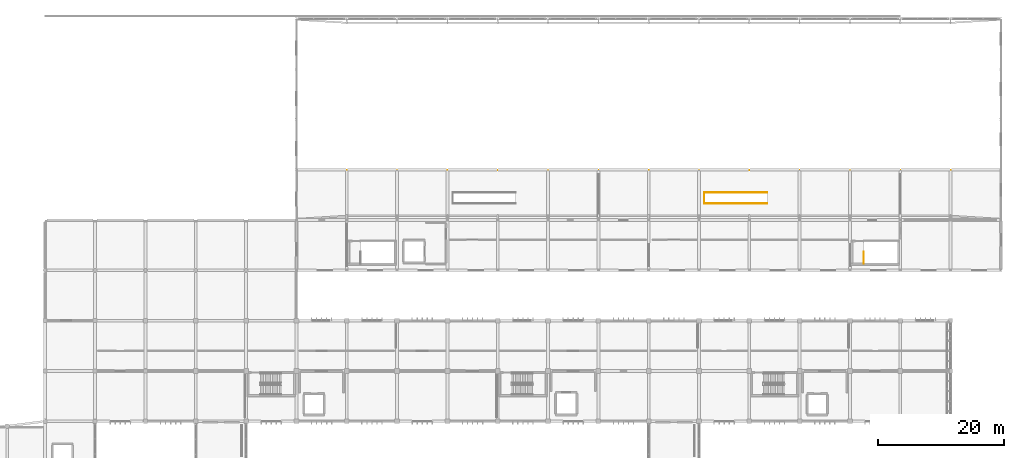
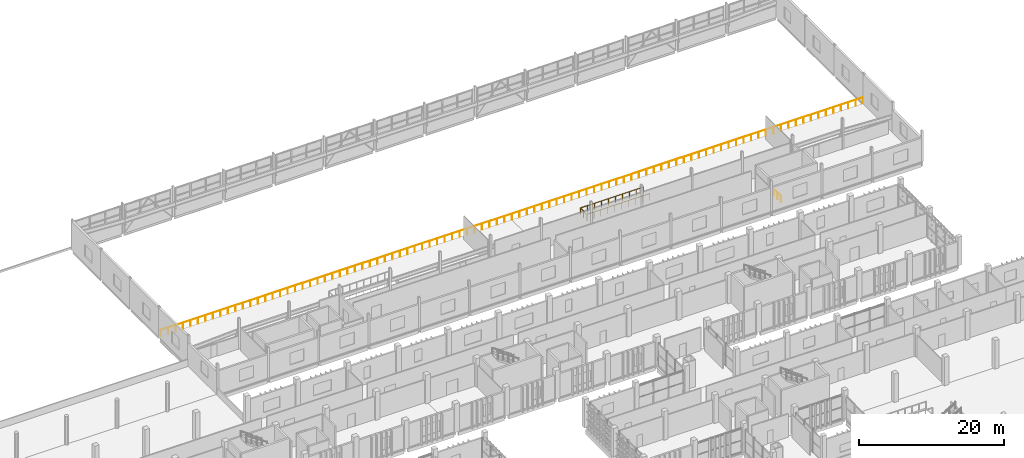
# One storey, part 106 of 106: 3 railings.
"""IFC4 building model written with IfcOpenShell, lengths in metres."""

from ifc_helpers import new_model, si_unit, direction, frame, origin, origin_2d, place, context, subcontext, project, spatial, circle, extrude, material, type_object, element, save


model = new_model("IFC4")

# Units and contexts
model_context = context("Model", 3, precision=1e-05, world=origin(), true_north=direction((0.0, 1.0)))
body_context = subcontext(model_context, "Body", "Model", "MODEL_VIEW")
ifc_project = project(units=[si_unit("LENGTHUNIT", "METRE"), si_unit("AREAUNIT", "SQUARE_METRE"), si_unit("VOLUMEUNIT", "CUBIC_METRE"), si_unit("PLANEANGLEUNIT", "RADIAN"), si_unit("MASSUNIT", "GRAM", prefix="KILO")], contexts=[model_context])

# Site, building, storey
site_placement = place(None, origin())
site = spatial("IfcSite", under=ifc_project, at=site_placement, CompositionType="ELEMENT")
building_placement = place(site_placement, origin())
building = spatial("IfcBuilding", under=site, at=building_placement, Name="Jelvoka-Kovrelna Polytechnic", CompositionType="ELEMENT")
storey_placement = place(building_placement, frame((0.0, 0.0, 4.800048828125)))
storey = spatial("IfcBuildingStorey", under=building, at=storey_placement, Name="L02", CompositionType="ELEMENT", Elevation=4.800048828125)

# Railings
ifc_material_1 = material(Name="Powder-coated steel stair guard", Category="steel")
railing_type_1 = type_object("IfcRailingType", Name="Railing_Stair_Guard_1100", PredefinedType="GUARDRAIL", material=ifc_material_1)
railing_1_placement = place(storey_placement, frame((178.199951171875, 81.10009765625, 0.0)))
element("IfcRailing", 1, at=railing_1_placement, inside=storey, type_object=railing_type_1, Name="L02 ST02 top well guard 1", PredefinedType="GUARDRAIL", context=body_context, shape_type="SweptSolid", body=[
    extrude(circle(Radius=0.02392578125, at=origin_2d()), frame((0.0, 0.0, 1.076171875), z_axis=(0.0, 1.0, 0.0), x_axis=(-1.0, 0.0, 0.0)), (0.0, 0.0, 1.0), 1.81982421875),
    extrude(circle(Radius=0.02099609375, at=origin_2d()), origin(), (0.0, 0.0, 1.0), 1.052001953125),
    extrude(circle(Radius=0.02099609375, at=origin_2d()), frame((0.0, 0.909912109375, 0.0)), (0.0, 0.0, 1.0), 1.052001953125),
    extrude(circle(Radius=0.02099609375, at=origin_2d()), frame((0.0, 1.81982421875, 0.0)), (0.0, 0.0, 1.0), 1.052001953125),
])
railing_2_placement = place(storey_placement, frame((162.840087890625, 92.385009765625, 0.0)))
element("IfcRailing", 2, at=railing_2_placement, inside=storey, type_object=railing_type_1, Name="L02 ST13 stairwell perimeter guard", PredefinedType="GUARDRAIL", context=body_context, shape_type="SweptSolid", body=[
    extrude(circle(Radius=0.02392578125, at=origin_2d()), frame((0.0, 0.0, 1.076171875), z_axis=(-1.0, 0.0, 0.0), x_axis=(0.0, -1.0, 0.0)), (0.0, 0.0, 1.0), 10.0),
    extrude(circle(Radius=0.02392578125, at=origin_2d()), frame((-10.0, 0.0, 1.076171875), z_axis=(0.0, -1.0, 0.0), x_axis=(1.0, 0.0, 0.0)), (0.0, 0.0, 1.0), 1.77001953125),
    extrude(circle(Radius=0.02392578125, at=origin_2d()), frame((-10.0, -1.77001953125, 1.076171875), z_axis=(1.0, 0.0, 0.0), x_axis=(0.0, 1.0, 0.0)), (0.0, 0.0, 1.0), 10.0),
    extrude(circle(Radius=0.02099609375, at=origin_2d()), origin(), (0.0, 0.0, 1.0), 1.052001953125),
    extrude(circle(Radius=0.02099609375, at=origin_2d()), frame((-1.111083984375, 0.0, 0.0)), (0.0, 0.0, 1.0), 1.052001953125),
    extrude(circle(Radius=0.02099609375, at=origin_2d()), frame((-2.22216796875, 0.0, 0.0)), (0.0, 0.0, 1.0), 1.052001953125),
    extrude(circle(Radius=0.02099609375, at=origin_2d()), frame((-3.333251953125, 0.0, 0.0)), (0.0, 0.0, 1.0), 1.052001953125),
    extrude(circle(Radius=0.02099609375, at=origin_2d()), frame((-4.4443359375, 0.0, 0.0)), (0.0, 0.0, 1.0), 1.052001953125),
    extrude(circle(Radius=0.02099609375, at=origin_2d()), frame((-5.5556640625, 0.0, 0.0)), (0.0, 0.0, 1.0), 1.052001953125),
    extrude(circle(Radius=0.02099609375, at=origin_2d()), frame((-6.666748046875, 0.0, 0.0)), (0.0, 0.0, 1.0), 1.052001953125),
    extrude(circle(Radius=0.02099609375, at=origin_2d()), frame((-7.77783203125, 0.0, 0.0)), (0.0, 0.0, 1.0), 1.052001953125),
    extrude(circle(Radius=0.02099609375, at=origin_2d()), frame((-8.888916015625, 0.0, 0.0)), (0.0, 0.0, 1.0), 1.052001953125),
    extrude(circle(Radius=0.02099609375, at=origin_2d()), frame((-10.0, 0.0, 0.0)), (0.0, 0.0, 1.0), 1.052001953125),
    extrude(circle(Radius=0.02099609375, at=origin_2d()), frame((-10.0, -0.885009765625, 0.0)), (0.0, 0.0, 1.0), 1.052001953125),
    extrude(circle(Radius=0.02099609375, at=origin_2d()), frame((-10.0, -1.77001953125, 0.0)), (0.0, 0.0, 1.0), 1.052001953125),
    extrude(circle(Radius=0.02099609375, at=origin_2d()), frame((-8.888916015625, -1.77001953125, 0.0)), (0.0, 0.0, 1.0), 1.052001953125),
    extrude(circle(Radius=0.02099609375, at=origin_2d()), frame((-7.77783203125, -1.77001953125, 0.0)), (0.0, 0.0, 1.0), 1.052001953125),
    extrude(circle(Radius=0.02099609375, at=origin_2d()), frame((-6.666748046875, -1.77001953125, 0.0)), (0.0, 0.0, 1.0), 1.052001953125),
    extrude(circle(Radius=0.02099609375, at=origin_2d()), frame((-5.5556640625, -1.77001953125, 0.0)), (0.0, 0.0, 1.0), 1.052001953125),
    extrude(circle(Radius=0.02099609375, at=origin_2d()), frame((-4.4443359375, -1.77001953125, 0.0)), (0.0, 0.0, 1.0), 1.052001953125),
    extrude(circle(Radius=0.02099609375, at=origin_2d()), frame((-3.333251953125, -1.77001953125, 0.0)), (0.0, 0.0, 1.0), 1.052001953125),
    extrude(circle(Radius=0.02099609375, at=origin_2d()), frame((-2.22216796875, -1.77001953125, 0.0)), (0.0, 0.0, 1.0), 1.052001953125),
    extrude(circle(Radius=0.02099609375, at=origin_2d()), frame((-1.111083984375, -1.77001953125, 0.0)), (0.0, 0.0, 1.0), 1.052001953125),
    extrude(circle(Radius=0.02099609375, at=origin_2d()), frame((0.0, -1.77001953125, 0.0)), (0.0, 0.0, 1.0), 1.052001953125),
])
ifc_material_2 = material(Name="Brushed stainless steel Grade 316", Category="steel")
railing_type_2 = type_object("IfcRailingType", Name="Railing_Terrace_Guard_1100", PredefinedType="GUARDRAIL", material=ifc_material_2)
railing_3_placement = place(storey_placement, frame((88.14990234375, 95.919921875, 0.0)))
element("IfcRailing", 3, at=railing_3_placement, inside=storey, type_object=railing_type_2, Name="L02 workshop mezzanine edge guard", PredefinedType="GUARDRAIL", context=body_context, shape_type="SweptSolid", body=[
    extrude(circle(Radius=0.02392578125, at=origin_2d()), frame((0.0, 0.0, 1.076171875), z_axis=(1.0, 0.0, 0.0), x_axis=(0.0, 1.0, 0.0)), (0.0, 0.0, 1.0), 111.7001953125),
    extrude(circle(Radius=0.02099609375, at=origin_2d()), origin(), (0.0, 0.0, 1.0), 1.052001953125),
    extrude(circle(Radius=0.02099609375, at=origin_2d()), frame((1.188232421875, 0.0, 0.0)), (0.0, 0.0, 1.0), 1.052001953125),
    extrude(circle(Radius=0.02099609375, at=origin_2d()), frame((2.376708984375, 0.0, 0.0)), (0.0, 0.0, 1.0), 1.052001953125),
    extrude(circle(Radius=0.02099609375, at=origin_2d()), frame((3.56494140625, 0.0, 0.0)), (0.0, 0.0, 1.0), 1.052001953125),
    extrude(circle(Radius=0.02099609375, at=origin_2d()), frame((4.753173828125, 0.0, 0.0)), (0.0, 0.0, 1.0), 1.052001953125),
    extrude(circle(Radius=0.02099609375, at=origin_2d()), frame((5.94140625, 0.0, 0.0)), (0.0, 0.0, 1.0), 1.052001953125),
    extrude(circle(Radius=0.02099609375, at=origin_2d()), frame((7.1298828125, 0.0, 0.0)), (0.0, 0.0, 1.0), 1.052001953125),
    extrude(circle(Radius=0.02099609375, at=origin_2d()), frame((8.318115234375, 0.0, 0.0)), (0.0, 0.0, 1.0), 1.052001953125),
    extrude(circle(Radius=0.02099609375, at=origin_2d()), frame((9.50634765625, 0.0, 0.0)), (0.0, 0.0, 1.0), 1.052001953125),
    extrude(circle(Radius=0.02099609375, at=origin_2d()), frame((10.694580078125, 0.0, 0.0)), (0.0, 0.0, 1.0), 1.052001953125),
    extrude(circle(Radius=0.02099609375, at=origin_2d()), frame((11.883056640625, 0.0, 0.0)), (0.0, 0.0, 1.0), 1.052001953125),
    extrude(circle(Radius=0.02099609375, at=origin_2d()), frame((13.0712890625, 0.0, 0.0)), (0.0, 0.0, 1.0), 1.052001953125),
    extrude(circle(Radius=0.02099609375, at=origin_2d()), frame((14.259521484375, 0.0, 0.0)), (0.0, 0.0, 1.0), 1.052001953125),
    extrude(circle(Radius=0.02099609375, at=origin_2d()), frame((15.447998046875, 0.0, 0.0)), (0.0, 0.0, 1.0), 1.052001953125),
    extrude(circle(Radius=0.02099609375, at=origin_2d()), frame((16.63623046875, 0.0, 0.0)), (0.0, 0.0, 1.0), 1.052001953125),
    extrude(circle(Radius=0.02099609375, at=origin_2d()), frame((17.824462890625, 0.0, 0.0)), (0.0, 0.0, 1.0), 1.052001953125),
    extrude(circle(Radius=0.02099609375, at=origin_2d()), frame((19.0126953125, 0.0, 0.0)), (0.0, 0.0, 1.0), 1.052001953125),
    extrude(circle(Radius=0.02099609375, at=origin_2d()), frame((20.201171875, 0.0, 0.0)), (0.0, 0.0, 1.0), 1.052001953125),
    extrude(circle(Radius=0.02099609375, at=origin_2d()), frame((21.389404296875, 0.0, 0.0)), (0.0, 0.0, 1.0), 1.052001953125),
    extrude(circle(Radius=0.02099609375, at=origin_2d()), frame((22.57763671875, 0.0, 0.0)), (0.0, 0.0, 1.0), 1.052001953125),
    extrude(circle(Radius=0.02099609375, at=origin_2d()), frame((23.76611328125, 0.0, 0.0)), (0.0, 0.0, 1.0), 1.052001953125),
    extrude(circle(Radius=0.02099609375, at=origin_2d()), frame((24.954345703125, 0.0, 0.0)), (0.0, 0.0, 1.0), 1.052001953125),
    extrude(circle(Radius=0.02099609375, at=origin_2d()), frame((26.142578125, 0.0, 0.0)), (0.0, 0.0, 1.0), 1.052001953125),
    extrude(circle(Radius=0.02099609375, at=origin_2d()), frame((27.330810546875, 0.0, 0.0)), (0.0, 0.0, 1.0), 1.052001953125),
    extrude(circle(Radius=0.02099609375, at=origin_2d()), frame((28.519287109375, 0.0, 0.0)), (0.0, 0.0, 1.0), 1.052001953125),
    extrude(circle(Radius=0.02099609375, at=origin_2d()), frame((29.70751953125, 0.0, 0.0)), (0.0, 0.0, 1.0), 1.052001953125),
    extrude(circle(Radius=0.02099609375, at=origin_2d()), frame((30.895751953125, 0.0, 0.0)), (0.0, 0.0, 1.0), 1.052001953125),
    extrude(circle(Radius=0.02099609375, at=origin_2d()), frame((32.083984375, 0.0, 0.0)), (0.0, 0.0, 1.0), 1.052001953125),
    extrude(circle(Radius=0.02099609375, at=origin_2d()), frame((33.2724609375, 0.0, 0.0)), (0.0, 0.0, 1.0), 1.052001953125),
    extrude(circle(Radius=0.02099609375, at=origin_2d()), frame((34.460693359375, 0.0, 0.0)), (0.0, 0.0, 1.0), 1.052001953125),
    extrude(circle(Radius=0.02099609375, at=origin_2d()), frame((35.64892578125, 0.0, 0.0)), (0.0, 0.0, 1.0), 1.052001953125),
    extrude(circle(Radius=0.02099609375, at=origin_2d()), frame((36.83740234375, 0.0, 0.0)), (0.0, 0.0, 1.0), 1.052001953125),
    extrude(circle(Radius=0.02099609375, at=origin_2d()), frame((38.025634765625, 0.0, 0.0)), (0.0, 0.0, 1.0), 1.052001953125),
    extrude(circle(Radius=0.02099609375, at=origin_2d()), frame((39.2138671875, 0.0, 0.0)), (0.0, 0.0, 1.0), 1.052001953125),
    extrude(circle(Radius=0.02099609375, at=origin_2d()), frame((40.402099609375, 0.0, 0.0)), (0.0, 0.0, 1.0), 1.052001953125),
    extrude(circle(Radius=0.02099609375, at=origin_2d()), frame((41.590576171875, 0.0, 0.0)), (0.0, 0.0, 1.0), 1.052001953125),
    extrude(circle(Radius=0.02099609375, at=origin_2d()), frame((42.77880859375, 0.0, 0.0)), (0.0, 0.0, 1.0), 1.052001953125),
    extrude(circle(Radius=0.02099609375, at=origin_2d()), frame((43.967041015625, 0.0, 0.0)), (0.0, 0.0, 1.0), 1.052001953125),
    extrude(circle(Radius=0.02099609375, at=origin_2d()), frame((45.155517578125, 0.0, 0.0)), (0.0, 0.0, 1.0), 1.052001953125),
    extrude(circle(Radius=0.02099609375, at=origin_2d()), frame((46.34375, 0.0, 0.0)), (0.0, 0.0, 1.0), 1.052001953125),
    extrude(circle(Radius=0.02099609375, at=origin_2d()), frame((47.531982421875, 0.0, 0.0)), (0.0, 0.0, 1.0), 1.052001953125),
    extrude(circle(Radius=0.02099609375, at=origin_2d()), frame((48.72021484375, 0.0, 0.0)), (0.0, 0.0, 1.0), 1.052001953125),
    extrude(circle(Radius=0.02099609375, at=origin_2d()), frame((49.90869140625, 0.0, 0.0)), (0.0, 0.0, 1.0), 1.052001953125),
    extrude(circle(Radius=0.02099609375, at=origin_2d()), frame((51.096923828125, 0.0, 0.0)), (0.0, 0.0, 1.0), 1.052001953125),
    extrude(circle(Radius=0.02099609375, at=origin_2d()), frame((52.28515625, 0.0, 0.0)), (0.0, 0.0, 1.0), 1.052001953125),
    extrude(circle(Radius=0.02099609375, at=origin_2d()), frame((53.473388671875, 0.0, 0.0)), (0.0, 0.0, 1.0), 1.052001953125),
    extrude(circle(Radius=0.02099609375, at=origin_2d()), frame((54.661865234375, 0.0, 0.0)), (0.0, 0.0, 1.0), 1.052001953125),
    extrude(circle(Radius=0.02099609375, at=origin_2d()), frame((55.85009765625, 0.0, 0.0)), (0.0, 0.0, 1.0), 1.052001953125),
    extrude(circle(Radius=0.02099609375, at=origin_2d()), frame((57.038330078125, 0.0, 0.0)), (0.0, 0.0, 1.0), 1.052001953125),
    extrude(circle(Radius=0.02099609375, at=origin_2d()), frame((58.226806640625, 0.0, 0.0)), (0.0, 0.0, 1.0), 1.052001953125),
    extrude(circle(Radius=0.02099609375, at=origin_2d()), frame((59.4150390625, 0.0, 0.0)), (0.0, 0.0, 1.0), 1.052001953125),
    extrude(circle(Radius=0.02099609375, at=origin_2d()), frame((60.603271484375, 0.0, 0.0)), (0.0, 0.0, 1.0), 1.052001953125),
    extrude(circle(Radius=0.02099609375, at=origin_2d()), frame((61.79150390625, 0.0, 0.0)), (0.0, 0.0, 1.0), 1.052001953125),
    extrude(circle(Radius=0.02099609375, at=origin_2d()), frame((62.97998046875, 0.0, 0.0)), (0.0, 0.0, 1.0), 1.052001953125),
    extrude(circle(Radius=0.02099609375, at=origin_2d()), frame((64.168212890625, 0.0, 0.0)), (0.0, 0.0, 1.0), 1.052001953125),
    extrude(circle(Radius=0.02099609375, at=origin_2d()), frame((65.3564453125, 0.0, 0.0)), (0.0, 0.0, 1.0), 1.052001953125),
    extrude(circle(Radius=0.02099609375, at=origin_2d()), frame((66.544677734375, 0.0, 0.0)), (0.0, 0.0, 1.0), 1.052001953125),
    extrude(circle(Radius=0.02099609375, at=origin_2d()), frame((67.733154296875, 0.0, 0.0)), (0.0, 0.0, 1.0), 1.052001953125),
    extrude(circle(Radius=0.02099609375, at=origin_2d()), frame((68.92138671875, 0.0, 0.0)), (0.0, 0.0, 1.0), 1.052001953125),
    extrude(circle(Radius=0.02099609375, at=origin_2d()), frame((70.109619140625, 0.0, 0.0)), (0.0, 0.0, 1.0), 1.052001953125),
    extrude(circle(Radius=0.02099609375, at=origin_2d()), frame((71.298095703125, 0.0, 0.0)), (0.0, 0.0, 1.0), 1.052001953125),
    extrude(circle(Radius=0.02099609375, at=origin_2d()), frame((72.486328125, 0.0, 0.0)), (0.0, 0.0, 1.0), 1.052001953125),
    extrude(circle(Radius=0.02099609375, at=origin_2d()), frame((73.674560546875, 0.0, 0.0)), (0.0, 0.0, 1.0), 1.052001953125),
    extrude(circle(Radius=0.02099609375, at=origin_2d()), frame((74.86279296875, 0.0, 0.0)), (0.0, 0.0, 1.0), 1.052001953125),
    extrude(circle(Radius=0.02099609375, at=origin_2d()), frame((76.05126953125, 0.0, 0.0)), (0.0, 0.0, 1.0), 1.052001953125),
    extrude(circle(Radius=0.02099609375, at=origin_2d()), frame((77.239501953125, 0.0, 0.0)), (0.0, 0.0, 1.0), 1.052001953125),
    extrude(circle(Radius=0.02099609375, at=origin_2d()), frame((78.427734375, 0.0, 0.0)), (0.0, 0.0, 1.0), 1.052001953125),
    extrude(circle(Radius=0.02099609375, at=origin_2d()), frame((79.6162109375, 0.0, 0.0)), (0.0, 0.0, 1.0), 1.052001953125),
    extrude(circle(Radius=0.02099609375, at=origin_2d()), frame((80.804443359375, 0.0, 0.0)), (0.0, 0.0, 1.0), 1.052001953125),
    extrude(circle(Radius=0.02099609375, at=origin_2d()), frame((81.99267578125, 0.0, 0.0)), (0.0, 0.0, 1.0), 1.052001953125),
    extrude(circle(Radius=0.02099609375, at=origin_2d()), frame((83.180908203125, 0.0, 0.0)), (0.0, 0.0, 1.0), 1.052001953125),
    extrude(circle(Radius=0.02099609375, at=origin_2d()), frame((84.369384765625, 0.0, 0.0)), (0.0, 0.0, 1.0), 1.052001953125),
    extrude(circle(Radius=0.02099609375, at=origin_2d()), frame((85.5576171875, 0.0, 0.0)), (0.0, 0.0, 1.0), 1.052001953125),
    extrude(circle(Radius=0.02099609375, at=origin_2d()), frame((86.745849609375, 0.0, 0.0)), (0.0, 0.0, 1.0), 1.052001953125),
    extrude(circle(Radius=0.02099609375, at=origin_2d()), frame((87.93408203125, 0.0, 0.0)), (0.0, 0.0, 1.0), 1.052001953125),
    extrude(circle(Radius=0.02099609375, at=origin_2d()), frame((89.12255859375, 0.0, 0.0)), (0.0, 0.0, 1.0), 1.052001953125),
    extrude(circle(Radius=0.02099609375, at=origin_2d()), frame((90.310791015625, 0.0, 0.0)), (0.0, 0.0, 1.0), 1.052001953125),
    extrude(circle(Radius=0.02099609375, at=origin_2d()), frame((91.4990234375, 0.0, 0.0)), (0.0, 0.0, 1.0), 1.052001953125),
    extrude(circle(Radius=0.02099609375, at=origin_2d()), frame((92.6875, 0.0, 0.0)), (0.0, 0.0, 1.0), 1.052001953125),
    extrude(circle(Radius=0.02099609375, at=origin_2d()), frame((93.875732421875, 0.0, 0.0)), (0.0, 0.0, 1.0), 1.052001953125),
    extrude(circle(Radius=0.02099609375, at=origin_2d()), frame((95.06396484375, 0.0, 0.0)), (0.0, 0.0, 1.0), 1.052001953125),
    extrude(circle(Radius=0.02099609375, at=origin_2d()), frame((96.252197265625, 0.0, 0.0)), (0.0, 0.0, 1.0), 1.052001953125),
    extrude(circle(Radius=0.02099609375, at=origin_2d()), frame((97.440673828125, 0.0, 0.0)), (0.0, 0.0, 1.0), 1.052001953125),
    extrude(circle(Radius=0.02099609375, at=origin_2d()), frame((98.62890625, 0.0, 0.0)), (0.0, 0.0, 1.0), 1.052001953125),
    extrude(circle(Radius=0.02099609375, at=origin_2d()), frame((99.817138671875, 0.0, 0.0)), (0.0, 0.0, 1.0), 1.052001953125),
    extrude(circle(Radius=0.02099609375, at=origin_2d()), frame((101.005615234375, 0.0, 0.0)), (0.0, 0.0, 1.0), 1.052001953125),
    extrude(circle(Radius=0.02099609375, at=origin_2d()), frame((102.19384765625, 0.0, 0.0)), (0.0, 0.0, 1.0), 1.052001953125),
    extrude(circle(Radius=0.02099609375, at=origin_2d()), frame((103.382080078125, 0.0, 0.0)), (0.0, 0.0, 1.0), 1.052001953125),
    extrude(circle(Radius=0.02099609375, at=origin_2d()), frame((104.5703125, 0.0, 0.0)), (0.0, 0.0, 1.0), 1.052001953125),
    extrude(circle(Radius=0.02099609375, at=origin_2d()), frame((105.7587890625, 0.0, 0.0)), (0.0, 0.0, 1.0), 1.052001953125),
    extrude(circle(Radius=0.02099609375, at=origin_2d()), frame((106.947021484375, 0.0, 0.0)), (0.0, 0.0, 1.0), 1.052001953125),
    extrude(circle(Radius=0.02099609375, at=origin_2d()), frame((108.13525390625, 0.0, 0.0)), (0.0, 0.0, 1.0), 1.052001953125),
    extrude(circle(Radius=0.02099609375, at=origin_2d()), frame((109.323486328125, 0.0, 0.0)), (0.0, 0.0, 1.0), 1.052001953125),
    extrude(circle(Radius=0.02099609375, at=origin_2d()), frame((110.511962890625, 0.0, 0.0)), (0.0, 0.0, 1.0), 1.052001953125),
    extrude(circle(Radius=0.02099609375, at=origin_2d()), frame((111.7001953125, 0.0, 0.0)), (0.0, 0.0, 1.0), 1.052001953125),
])

save(model, "model.ifc")
